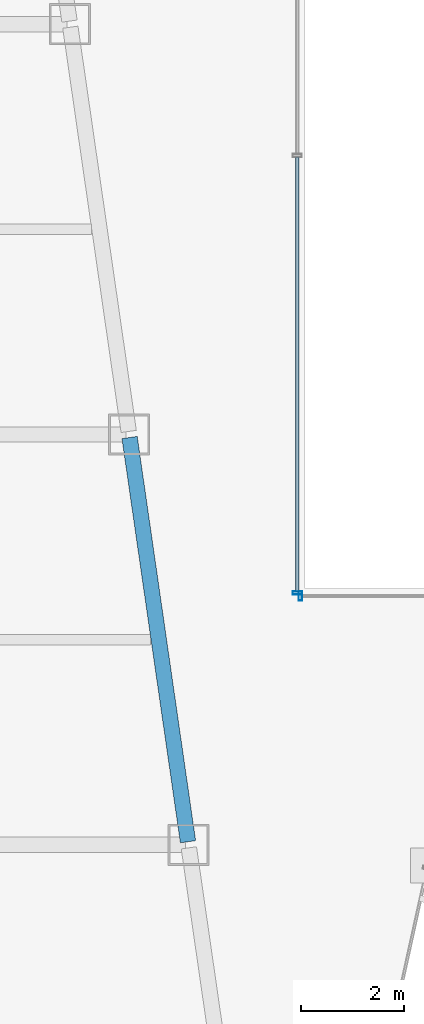
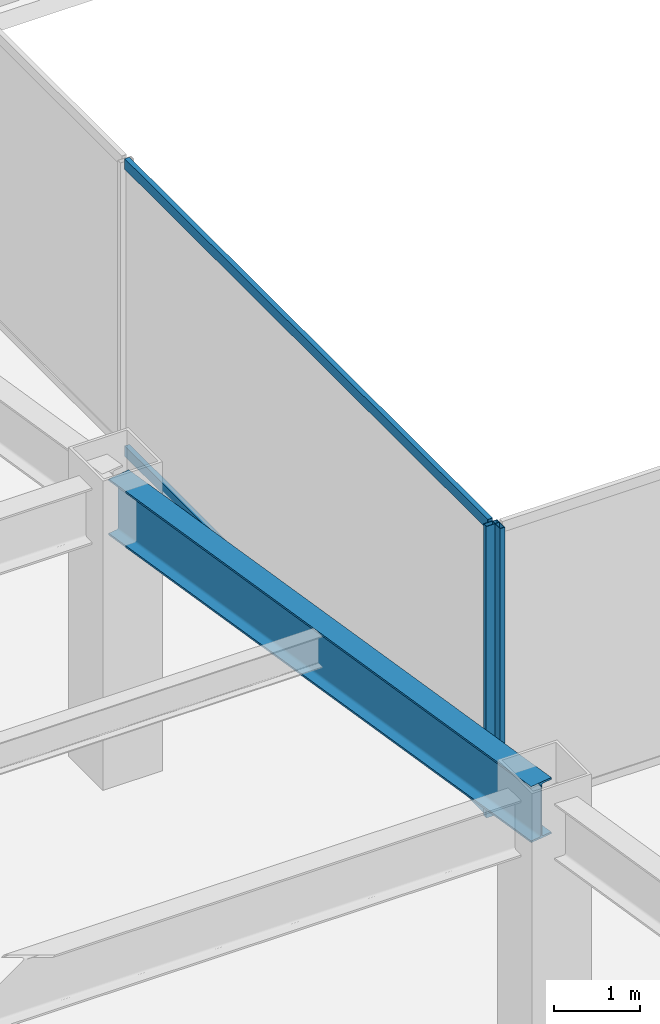
# One storey, part 12 of 47: 4 members, 1 beam, 2 elements without a shape of their own.
"""IFC4 building model written with IfcOpenShell, lengths in metres."""

from ifc_helpers import new_model, si_unit, direction, frame, origin, origin_2d, place, context, subcontext, project, spatial, hollow_rectangle, i_section, extrude, material, material_profile, profile_set, type_object, element, aggregate, save


model = new_model("IFC4")

# Units and contexts
model_context = context("Model", 3, precision=1e-05, world=origin(), true_north=direction((0.0, 1.0)))
body_context = subcontext(model_context, "Body", "Model", "MODEL_VIEW")
ifc_project = project(units=[si_unit("LENGTHUNIT", "METRE"), si_unit("AREAUNIT", "SQUARE_METRE"), si_unit("VOLUMEUNIT", "CUBIC_METRE"), si_unit("PLANEANGLEUNIT", "RADIAN"), si_unit("MASSUNIT", "GRAM", prefix="KILO")], contexts=[model_context])

# Site, building, storey
site_placement = place(None, origin())
site = spatial("IfcSite", under=ifc_project, at=site_placement, CompositionType="ELEMENT")
building_placement = place(site_placement, origin())
building = spatial("IfcBuilding", under=site, at=building_placement, Name="Saevonmaru Cultural Tower", CompositionType="ELEMENT")
storey_placement = place(building_placement, frame((0.0, 0.0, 64.800048828125)))
storey = spatial("IfcBuildingStorey", under=building, at=storey_placement, Name="L13", CompositionType="ELEMENT", Elevation=64.800048828125)

# Beam
ifc_material_1 = material(Name="Steel SM420", Category="steel")
ifc_material_profile_1 = material_profile(ifc_material_1, i_section(OverallWidth=0.300048828125, OverallDepth=0.800048828125, WebThickness=0.013916015625, FlangeThickness=0.02587890625, FilletRadius=0.028076171875, at=origin_2d()), Name="H-800x300x14x26")
ifc_profile_set_1 = profile_set([ifc_material_profile_1], Name="Steel SM420")
beam_type = type_object("IfcBeamType", Name="BM-G-H800", PredefinedType="BEAM", material=ifc_profile_set_1)
beam_placement = place(storey_placement, frame((21.91943359375, 16.059326171875, 3.75), z_axis=(-0.143022161059, 0.989719486241, 0.0), x_axis=(-0.989719486241, -0.143022161059, 0.0)))
element("IfcBeam", 1, at=beam_placement, inside=storey, type_object=beam_type, Name="L13 West Atrium Girder 3", PredefinedType="BEAM", context=body_context, shape_type="SweptSolid", body=[
    extrude(i_section(OverallWidth=0.300048828125, OverallDepth=0.800048828125, WebThickness=0.013916015625, FlangeThickness=0.02587890625, FilletRadius=0.028076171875, at=origin_2d()), origin(), (0.0, 0.0, 1.0), 7.963134765625),
])

# Curtain wall, member
ifc_material_2 = material(Name="Satin Bronze Anodised Aluminium", Category="aluminium")
curtain_wall_type = type_object("IfcCurtainWallType", Name="CW-ATR-GLZ", PredefinedType="NOTDEFINED", material=ifc_material_2)
curtain_wall_1_placement = place(storey_placement, origin())
curtain_wall_1 = element("IfcCurtainWall", 2, at=curtain_wall_1_placement, inside=storey, type_object=curtain_wall_type, Name="L13 Vertical Atrium Glazed Smoke Screen 1", PredefinedType="NOTDEFINED")
ifc_material_profile_2 = material_profile(ifc_material_2, hollow_rectangle(XDim=0.06494140625, YDim=0.179931640625, WallThickness=0.00390625, at=origin_2d()), Name="ALU-MULL-180x65x4")
ifc_profile_set_2 = profile_set([ifc_material_profile_2], Name="Satin Bronze Anodised Aluminium")
member_type_1 = type_object("IfcMemberType", Name="ML-CW-INT-180x65", PredefinedType="MULLION", material=ifc_profile_set_2)
member_1_placement = place(storey_placement, frame((24.110107421875, 20.85009765625, 0.0), z_axis=(0.0, 0.0, 1.0), x_axis=(1.0, 0.0, 0.0)))
member_1 = element("IfcMember", 3, at=member_1_placement, type_object=member_type_1, Name="CW-ATR-L13-1 mullion 1", PredefinedType="MULLION", context=body_context, shape_type="SweptSolid", body=[
    extrude(hollow_rectangle(XDim=0.06494140625, YDim=0.179931640625, WallThickness=0.00390625, at=origin_2d()), origin(), (0.0, 0.0, 1.0), 4.14990234375),
])
aggregate(curtain_wall_1, [member_1])

# Curtain wall, members
curtain_wall_2_placement = place(storey_placement, origin())
curtain_wall_2 = element("IfcCurtainWall", 4, at=curtain_wall_2_placement, inside=storey, type_object=curtain_wall_type, Name="L13 Vertical Atrium Glazed Smoke Screen 4", PredefinedType="NOTDEFINED")
member_2_placement = place(storey_placement, frame((24.050048828125, 20.909912109375, 0.0), z_axis=(0.0, 0.0, 1.0), x_axis=(0.0, -1.0, 0.0)))
member_2 = element("IfcMember", 5, at=member_2_placement, type_object=member_type_1, Name="CW-ATR-L13-4 mullion 3", PredefinedType="MULLION", context=body_context, shape_type="SweptSolid", body=[
    extrude(hollow_rectangle(XDim=0.06494140625, YDim=0.179931640625, WallThickness=0.00390625, at=origin_2d()), origin(), (0.0, 0.0, 1.0), 4.14990234375),
])
ifc_material_profile_3 = material_profile(ifc_material_2, hollow_rectangle(XDim=0.06494140625, YDim=0.14990234375, WallThickness=0.00390625, at=origin_2d()), Name="ALU-TRAN-150x65x4")
ifc_profile_set_3 = profile_set([ifc_material_profile_3], Name="Satin Bronze Anodised Aluminium")
member_type_2 = type_object("IfcMemberType", Name="TR-CW-INT-150x65", PredefinedType="USERDEFINED", material=ifc_profile_set_3)
member_3_placement = place(storey_placement, frame((24.050048828125, 29.407470703125, 0.032470703125), z_axis=(0.0, -1.0, 0.0), x_axis=(1.0, 0.0, 0.0)))
member_3 = element("IfcMember", 6, at=member_3_placement, type_object=member_type_2, Name="CW-ATR-L13-4 transom 2.1", ObjectType="TRANSOM", PredefinedType="USERDEFINED", context=body_context, shape_type="SweptSolid", body=[
    extrude(hollow_rectangle(XDim=0.06494140625, YDim=0.14990234375, WallThickness=0.00390625, at=origin_2d()), origin(), (0.0, 0.0, 1.0), 8.465087890625),
])
member_4_placement = place(storey_placement, frame((24.050048828125, 29.407470703125, 4.117431640625), z_axis=(0.0, -1.0, 0.0), x_axis=(1.0, 0.0, 0.0)))
member_4 = element("IfcMember", 7, at=member_4_placement, type_object=member_type_2, Name="CW-ATR-L13-4 transom 2.2", ObjectType="TRANSOM", PredefinedType="USERDEFINED", context=body_context, shape_type="SweptSolid", body=[
    extrude(hollow_rectangle(XDim=0.06494140625, YDim=0.14990234375, WallThickness=0.00390625, at=origin_2d()), origin(), (0.0, 0.0, 1.0), 8.465087890625),
])
aggregate(curtain_wall_2, [member_2, member_3, member_4])

save(model, "model.ifc")
